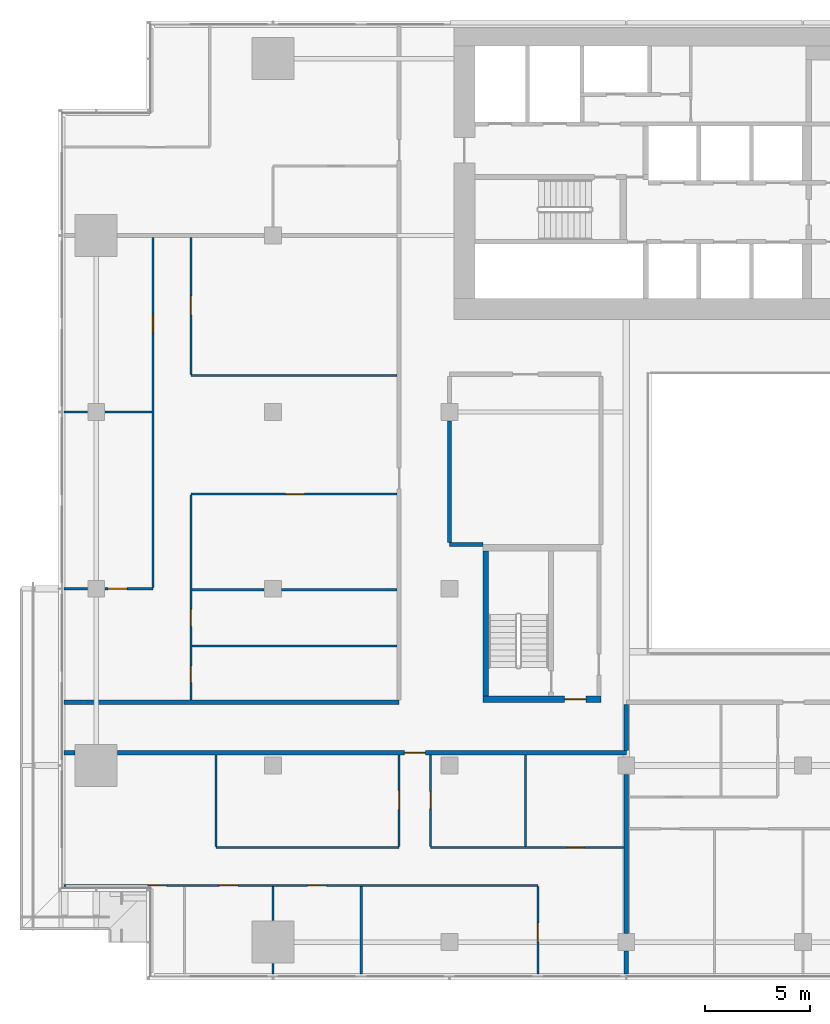
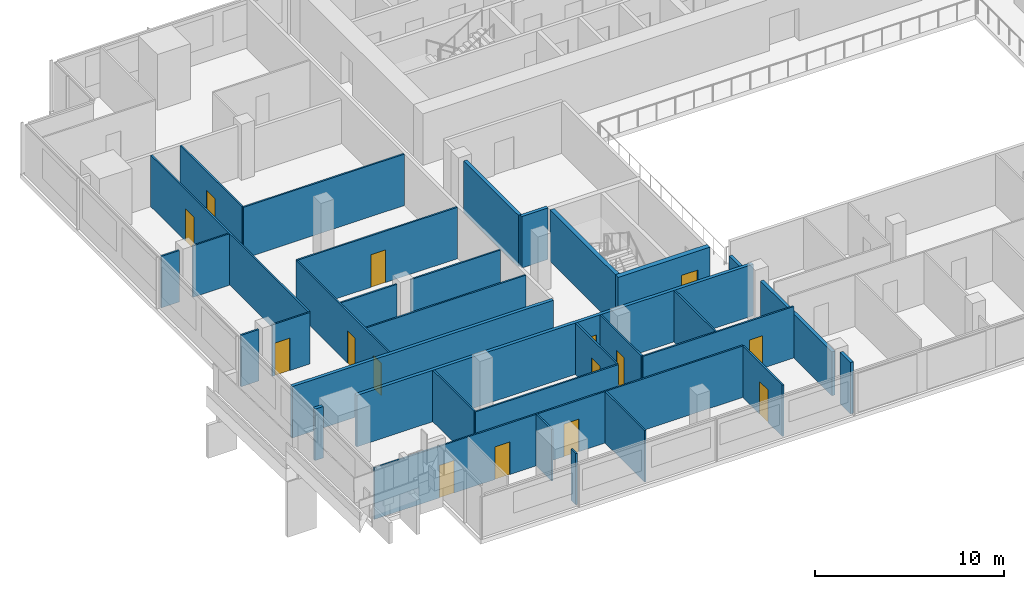
# One storey, part 16 of 27: 33 walls, 15 doors, 15 openings.
"""IFC4 building model written with IfcOpenShell, lengths in metres."""

from ifc_helpers import new_model, si_unit, direction, frame, frame_2d, origin, place, context, subcontext, project, spatial, rectangle, extrude, material, layer, layer_set, type_object, element, fill, save


model = new_model("IFC4")

# Units and contexts
model_context = context("Model", 3, precision=1e-05, world=origin(), true_north=direction((0.0, 1.0)))
body_context = subcontext(model_context, "Body", "Model", "MODEL_VIEW")
ifc_project = project(units=[si_unit("LENGTHUNIT", "METRE"), si_unit("AREAUNIT", "SQUARE_METRE"), si_unit("VOLUMEUNIT", "CUBIC_METRE"), si_unit("PLANEANGLEUNIT", "RADIAN"), si_unit("MASSUNIT", "GRAM", prefix="KILO")], contexts=[model_context])

# Site, building, storey
site_placement = place(None, origin())
site = spatial("IfcSite", under=ifc_project, at=site_placement, CompositionType="ELEMENT")
building_placement = place(site_placement, origin())
building = spatial("IfcBuilding", under=site, at=building_placement, Name="Saffron Gate Tower", CompositionType="ELEMENT")
storey_placement = place(building_placement, frame((0.0, 0.0, 134.85009765625)))
storey = spatial("IfcBuildingStorey", under=building, at=storey_placement, Name="L32", CompositionType="ELEMENT", Elevation=134.85009765625)

# Wall
ifc_material_1 = material(Name="Concrete C70", Category="concrete")
ifc_layer_1 = layer(ifc_material_1, 0.25)
ifc_layer_set_1 = layer_set([ifc_layer_1], Name="CW2 RC core wall 250 C70")
wall_type_1 = type_object("IfcWallType", Name="CW2 RC core wall 250 C70", PredefinedType="SOLIDWALL", material=ifc_layer_set_1)
wall_1_placement = place(storey_placement, frame((68.324951171875, 43.5, 0.0), z_axis=(0.0, 0.0, 1.0), x_axis=(0.0, 1.0, 0.0)))
element("IfcWall", 1, at=wall_1_placement, inside=storey, type_object=wall_type_1, Name="Wall CW2-L32-D-2", PredefinedType="SOLIDWALL", context=body_context, shape_type="SweptSolid", body=[
    extrude(rectangle(XDim=6.89990234375, YDim=0.25, at=frame_2d((3.449951171875, 0.0))), origin(), (0.0, 0.0, 1.0), 3.31982421875),
])

# Wall, opening, door
ifc_layer_2 = layer(ifc_material_1, 0.300048828125)
ifc_layer_set_2 = layer_set([ifc_layer_2], Name="CW5 RC core wall 300 C70")
wall_type_2 = type_object("IfcWallType", Name="CW5 RC core wall 300 C70", PredefinedType="SOLIDWALL", material=ifc_layer_set_2)
wall_2_placement = place(storey_placement, frame((68.199951171875, 43.35009765625, 0.0), z_axis=(0.0, 0.0, 1.0), x_axis=(1.0, 0.0, 0.0)))
wall_2 = element("IfcWall", 2, at=wall_2_placement, inside=storey, type_object=wall_type_2, Name="Wall CW5-L32-D-1", PredefinedType="SOLIDWALL", context=body_context, shape_type="SweptSolid", body=[
    extrude(rectangle(XDim=5.60009765625, YDim=0.300048828125, at=frame_2d((2.800048828125, 0.0))), origin(), (0.0, 0.0, 1.0), 3.31982421875),
])
opening_1_placement = place(wall_2_placement, frame((3.875, 0.0, 0.0)))
opening_1 = element("IfcOpeningElement", 3, at=opening_1_placement, cuts=wall_2, Name="Opening CR-18", PredefinedType="OPENING", context=body_context, shape_type="SweptSolid", body=[
    extrude(rectangle(XDim=1.0, YDim=2.10009765625, at=frame_2d((0.5, 1.050048828125))), frame((0.0, 0.16015625, 0.0), z_axis=(0.0, -1.0, 0.0), x_axis=(1.0, 0.0, 0.0)), (0.0, 0.0, 1.0), 0.320068359375),
])
ifc_material_2 = material(Name="Steel fire door set", Category="steel")
door_type_1 = type_object("IfcDoorType", Name="CD4 Lobby door 1000x2100 EI 120", OperationType="NOTDEFINED", PredefinedType="DOOR", material=ifc_material_2)
door_1_placement = place(opening_1_placement, origin())
door_1 = element("IfcDoor", 4, at=door_1_placement, inside=storey, type_object=door_type_1, Name="DOOR CR-18", OperationType="SINGLE_SWING_RIGHT", OverallHeight=2.10009765625, OverallWidth=1.0, PredefinedType="DOOR", context=body_context, shape_type="SweptSolid", body=[
    extrude(rectangle(XDim=1.0, YDim=2.10009765625, at=frame_2d((0.5, 1.050048828125))), frame((0.0, 0.02490234375, 0.0), z_axis=(0.0, -1.0, 0.0), x_axis=(1.0, 0.0, 0.0)), (0.0, 0.0, 1.0), 0.050048828125),
])
fill(opening_1, door_1)

# Wall, openings, doors
ifc_material_3 = material(Name="Plasterboard on steel studs", Category="steel")
ifc_layer_3 = layer(ifc_material_3, 0.10009765625)
ifc_layer_set_3 = layer_set([ifc_layer_3], Name="PW1 Partition 100")
wall_type_3 = type_object("IfcWallType", Name="PW1 Partition 100", PredefinedType="PARTITIONING", material=ifc_layer_set_3)
wall_3_placement = place(storey_placement, frame((70.800048828125, 34.5, 0.0), z_axis=(0.0, 0.0, 1.0), x_axis=(-1.0, 0.0, 0.0)))
wall_3 = element("IfcWall", 5, at=wall_3_placement, inside=storey, type_object=wall_type_3, Name="Partition B4-1", PredefinedType="PARTITIONING", context=body_context, shape_type="SweptSolid", body=[
    extrude(rectangle(XDim=22.52001953125, YDim=0.10009765625, at=frame_2d((11.260009765625, 0.0))), origin(), (0.0, 0.0, 1.0), 3.31982421875),
])
opening_2_placement = place(wall_3_placement, frame((10.050048828125, 0.0, 0.0)))
opening_2 = element("IfcOpeningElement", 6, at=opening_2_placement, cuts=wall_3, Name="Opening B4-10", PredefinedType="OPENING", context=body_context, shape_type="SweptSolid", body=[
    extrude(rectangle(XDim=0.89990234375, YDim=2.10009765625, at=frame_2d((0.449951171875, 1.050048828125))), frame((0.0, 0.06005859375, 0.0), z_axis=(0.0, -1.0, 0.0), x_axis=(1.0, 0.0, 0.0)), (0.0, 0.0, 1.0), 0.1201171875),
])
opening_3_placement = place(wall_3_placement, frame((14.25, 0.0, 0.0)))
opening_3 = element("IfcOpeningElement", 7, at=opening_3_placement, cuts=wall_3, Name="Opening B4-9", PredefinedType="OPENING", context=body_context, shape_type="SweptSolid", body=[
    extrude(rectangle(XDim=0.89990234375, YDim=2.10009765625, at=frame_2d((0.449951171875, 1.050048828125))), frame((0.0, 0.06005859375, 0.0), z_axis=(0.0, -1.0, 0.0), x_axis=(1.0, 0.0, 0.0)), (0.0, 0.0, 1.0), 0.1201171875),
])
opening_4_placement = place(wall_3_placement, frame((17.65380859375, 0.0, 0.0)))
opening_4 = element("IfcOpeningElement", 8, at=opening_4_placement, cuts=wall_3, Name="Opening B4-8", PredefinedType="OPENING", context=body_context, shape_type="SweptSolid", body=[
    extrude(rectangle(XDim=0.89990234375, YDim=2.10009765625, at=frame_2d((0.449951171875, 1.050048828125))), frame((0.0, 0.06005859375, 0.0), z_axis=(0.0, -1.0, 0.0), x_axis=(1.0, 0.0, 0.0)), (0.0, 0.0, 1.0), 0.1201171875),
])
ifc_material_4 = material(Name="Timber door set", Category="wood")
door_type_2 = type_object("IfcDoorType", Name="RD1 Room door 900x2100", OperationType="NOTDEFINED", PredefinedType="DOOR", material=ifc_material_4)
door_2_placement = place(opening_2_placement, origin())
door_2 = element("IfcDoor", 9, at=door_2_placement, inside=storey, type_object=door_type_2, Name="Door B4-10", OperationType="SINGLE_SWING_RIGHT", OverallHeight=2.10009765625, OverallWidth=0.89990234375, PredefinedType="DOOR", context=body_context, shape_type="SweptSolid", body=[
    extrude(rectangle(XDim=0.89990234375, YDim=2.10009765625, at=frame_2d((0.449951171875, 1.050048828125))), frame((0.0, 0.02490234375, 0.0), z_axis=(0.0, -1.0, 0.0), x_axis=(1.0, 0.0, 0.0)), (0.0, 0.0, 1.0), 0.050048828125),
])
fill(opening_2, door_2)
door_3_placement = place(opening_3_placement, origin())
door_3 = element("IfcDoor", 10, at=door_3_placement, inside=storey, type_object=door_type_2, Name="Door B4-9", OperationType="SINGLE_SWING_RIGHT", OverallHeight=2.10009765625, OverallWidth=0.89990234375, PredefinedType="DOOR", context=body_context, shape_type="SweptSolid", body=[
    extrude(rectangle(XDim=0.89990234375, YDim=2.10009765625, at=frame_2d((0.449951171875, 1.050048828125))), frame((0.0, 0.02490234375, 0.0), z_axis=(0.0, -1.0, 0.0), x_axis=(1.0, 0.0, 0.0)), (0.0, 0.0, 1.0), 0.050048828125),
])
fill(opening_3, door_3)
door_4_placement = place(opening_4_placement, origin())
door_4 = element("IfcDoor", 11, at=door_4_placement, inside=storey, type_object=door_type_2, Name="Door B4-8", OperationType="SINGLE_SWING_LEFT", OverallHeight=2.10009765625, OverallWidth=0.89990234375, PredefinedType="DOOR", context=body_context, shape_type="SweptSolid", body=[
    extrude(rectangle(XDim=0.89990234375, YDim=2.10009765625, at=frame_2d((0.449951171875, 1.050048828125))), frame((0.0, 0.02490234375, 0.0), z_axis=(0.0, -1.0, 0.0), x_axis=(1.0, 0.0, 0.0)), (0.0, 0.0, 1.0), 0.050048828125),
])
fill(opening_4, door_4)

# Wall
wall_4_placement = place(storey_placement, frame((55.5, 36.300048828125, 0.0), z_axis=(0.0, 0.0, 1.0), x_axis=(1.0, 0.0, 0.0)))
element("IfcWall", 12, at=wall_4_placement, inside=storey, type_object=wall_type_3, Name="Partition B4-4", PredefinedType="PARTITIONING", context=body_context, shape_type="SweptSolid", body=[
    extrude(rectangle(XDim=8.699951171875, YDim=0.10009765625, at=frame_2d((4.35009765625, 0.0))), origin(), (0.0, 0.0, 1.0), 3.31982421875),
])

# Wall, opening, door
wall_5_placement = place(storey_placement, frame((65.699951171875, 36.300048828125, 0.0), z_axis=(0.0, 0.0, 1.0), x_axis=(1.0, 0.0, 0.0)))
wall_5 = element("IfcWall", 13, at=wall_5_placement, inside=storey, type_object=wall_type_3, Name="Partition B4-5", PredefinedType="PARTITIONING", context=body_context, shape_type="SweptSolid", body=[
    extrude(rectangle(XDim=9.199951171875, YDim=0.10009765625, at=frame_2d((4.60009765625, 0.0))), origin(), (0.0, 0.0, 1.0), 3.31982421875),
])
opening_5_placement = place(wall_5_placement, frame((6.5, 0.0, 0.0)))
opening_5 = element("IfcOpeningElement", 14, at=opening_5_placement, cuts=wall_5, Name="Opening B4-37", PredefinedType="OPENING", context=body_context, shape_type="SweptSolid", body=[
    extrude(rectangle(XDim=0.800048828125, YDim=2.10009765625, at=frame_2d((0.39990234375, 1.050048828125))), frame((0.0, 0.06005859375, 0.0), z_axis=(0.0, -1.0, 0.0), x_axis=(1.0, 0.0, 0.0)), (0.0, 0.0, 1.0), 0.1201171875),
])
door_type_3 = type_object("IfcDoorType", Name="RD2 Bathroom door 800x2100", OperationType="NOTDEFINED", PredefinedType="DOOR", material=ifc_material_4)
door_5_placement = place(opening_5_placement, origin())
door_5 = element("IfcDoor", 15, at=door_5_placement, inside=storey, type_object=door_type_3, Name="Door B4-37", OperationType="SINGLE_SWING_RIGHT", OverallHeight=2.10009765625, OverallWidth=0.800048828125, PredefinedType="DOOR", context=body_context, shape_type="SweptSolid", body=[
    extrude(rectangle(XDim=0.800048828125, YDim=2.10009765625, at=frame_2d((0.39990234375, 1.050048828125))), frame((0.0, 0.02490234375, 0.0), z_axis=(0.0, -1.0, 0.0), x_axis=(1.0, 0.0, 0.0)), (0.0, 0.0, 1.0), 0.050048828125),
])
fill(opening_5, door_5)

# Walls
wall_6_placement = place(storey_placement, frame((54.35009765625, 45.876708984375, 0.0), z_axis=(0.0, 0.0, 1.0), x_axis=(1.0, 0.0, 0.0)))
element("IfcWall", 16, at=wall_6_placement, inside=storey, type_object=wall_type_3, Name="Partition B4-18", PredefinedType="PARTITIONING", context=body_context, shape_type="SweptSolid", body=[
    extrude(rectangle(XDim=9.75, YDim=0.10009765625, at=frame_2d((4.875, 0.0))), origin(), (0.0, 0.0, 1.0), 3.31982421875),
])
wall_7_placement = place(storey_placement, frame((54.35009765625, 48.553466796875, 0.0), z_axis=(0.0, 0.0, 1.0), x_axis=(1.0, 0.0, 0.0)))
element("IfcWall", 17, at=wall_7_placement, inside=storey, type_object=wall_type_3, Name="Partition B4-20", PredefinedType="PARTITIONING", context=body_context, shape_type="SweptSolid", body=[
    extrude(rectangle(XDim=3.429931640625, YDim=0.10009765625, at=frame_2d((1.71484375, 0.0))), origin(), (0.0, 0.0, 1.0), 3.31982421875),
])
wall_8_placement = place(storey_placement, frame((58.6201171875, 48.553466796875, 0.0), z_axis=(0.0, 0.0, 1.0), x_axis=(1.0, 0.0, 0.0)))
element("IfcWall", 18, at=wall_8_placement, inside=storey, type_object=wall_type_3, Name="Partition B4-21", PredefinedType="PARTITIONING", context=body_context, shape_type="SweptSolid", body=[
    extrude(rectangle(XDim=5.47998046875, YDim=0.10009765625, at=frame_2d((2.739990234375, 0.0))), origin(), (0.0, 0.0, 1.0), 3.31982421875),
])
wall_9_placement = place(storey_placement, frame((48.280029296875, 48.60009765625, 0.0), z_axis=(0.0, 0.0, 1.0), x_axis=(1.0, 0.0, 0.0)))
element("IfcWall", 19, at=wall_9_placement, inside=storey, type_object=wall_type_3, Name="Partition B4-22", PredefinedType="PARTITIONING", context=body_context, shape_type="SweptSolid", body=[
    extrude(rectangle(XDim=1.099853515625, YDim=0.10009765625, at=frame_2d((0.5498046875, 0.0))), origin(), (0.0, 0.0, 1.0), 3.31982421875),
])

# Wall, opening, door
wall_10_placement = place(storey_placement, frame((50.219970703125, 48.60009765625, 0.0), z_axis=(0.0, 0.0, 1.0), x_axis=(1.0, 0.0, 0.0)))
wall_10 = element("IfcWall", 20, at=wall_10_placement, inside=storey, type_object=wall_type_3, Name="Partition B4-23", PredefinedType="PARTITIONING", context=body_context, shape_type="SweptSolid", body=[
    extrude(rectangle(XDim=2.280029296875, YDim=0.10009765625, at=frame_2d((1.14013671875, 0.0))), origin(), (0.0, 0.0, 1.0), 3.31982421875),
])
opening_6_placement = place(wall_10_placement, frame((0.14990234375, 0.0, 0.0)))
opening_6 = element("IfcOpeningElement", 21, at=opening_6_placement, cuts=wall_10, Name="Opening B4-23", PredefinedType="OPENING", context=body_context, shape_type="SweptSolid", body=[
    extrude(rectangle(XDim=0.89990234375, YDim=2.10009765625, at=frame_2d((0.449951171875, 1.050048828125))), frame((0.0, 0.06005859375, 0.0), z_axis=(0.0, -1.0, 0.0), x_axis=(1.0, 0.0, 0.0)), (0.0, 0.0, 1.0), 0.1201171875),
])
door_6_placement = place(opening_6_placement, origin())
door_6 = element("IfcDoor", 22, at=door_6_placement, inside=storey, type_object=door_type_2, Name="Door B4-23", OperationType="SINGLE_SWING_LEFT", OverallHeight=2.10009765625, OverallWidth=0.89990234375, PredefinedType="DOOR", context=body_context, shape_type="SweptSolid", body=[
    extrude(rectangle(XDim=0.89990234375, YDim=2.10009765625, at=frame_2d((0.449951171875, 1.050048828125))), frame((0.0, 0.02490234375, 0.0), z_axis=(0.0, -1.0, 0.0), x_axis=(1.0, 0.0, 0.0)), (0.0, 0.0, 1.0), 0.050048828125),
])
fill(opening_6, door_6)

wall_11_placement = place(storey_placement, frame((64.10009765625, 53.10009765625, 0.0), z_axis=(0.0, 0.0, 1.0), x_axis=(-1.0, 0.0, 0.0)))
wall_11 = element("IfcWall", 23, at=wall_11_placement, inside=storey, type_object=wall_type_3, Name="Partition B4-30", PredefinedType="PARTITIONING", context=body_context, shape_type="SweptSolid", body=[
    extrude(rectangle(XDim=9.800048828125, YDim=0.10009765625, at=frame_2d((4.89990234375, 0.0))), origin(), (0.0, 0.0, 1.0), 3.31982421875),
])
opening_7_placement = place(wall_11_placement, frame((4.39990234375, 0.0, 0.0)))
opening_7 = element("IfcOpeningElement", 24, at=opening_7_placement, cuts=wall_11, Name="Opening B4-26", PredefinedType="OPENING", context=body_context, shape_type="SweptSolid", body=[
    extrude(rectangle(XDim=0.89990234375, YDim=2.10009765625, at=frame_2d((0.449951171875, 1.050048828125))), frame((0.0, 0.06005859375, 0.0), z_axis=(0.0, -1.0, 0.0), x_axis=(1.0, 0.0, 0.0)), (0.0, 0.0, 1.0), 0.1201171875),
])
door_7_placement = place(opening_7_placement, origin())
door_7 = element("IfcDoor", 25, at=door_7_placement, inside=storey, type_object=door_type_2, Name="Door B4-26", OperationType="SINGLE_SWING_LEFT", OverallHeight=2.10009765625, OverallWidth=0.89990234375, PredefinedType="DOOR", context=body_context, shape_type="SweptSolid", body=[
    extrude(rectangle(XDim=0.89990234375, YDim=2.10009765625, at=frame_2d((0.449951171875, 1.050048828125))), frame((0.0, 0.02490234375, 0.0), z_axis=(0.0, -1.0, 0.0), x_axis=(1.0, 0.0, 0.0)), (0.0, 0.0, 1.0), 0.050048828125),
])
fill(opening_7, door_7)

# Walls
wall_12_placement = place(storey_placement, frame((48.280029296875, 57.0, 0.0), z_axis=(0.0, 0.0, 1.0), x_axis=(1.0, 0.0, 0.0)))
element("IfcWall", 26, at=wall_12_placement, inside=storey, type_object=wall_type_3, Name="Partition B4-36", PredefinedType="PARTITIONING", context=body_context, shape_type="SweptSolid", body=[
    extrude(rectangle(XDim=1.099853515625, YDim=0.10009765625, at=frame_2d((0.5498046875, 0.0))), origin(), (0.0, 0.0, 1.0), 3.31982421875),
])
wall_13_placement = place(storey_placement, frame((50.219970703125, 57.0, 0.0), z_axis=(0.0, 0.0, 1.0), x_axis=(1.0, 0.0, 0.0)))
element("IfcWall", 27, at=wall_13_placement, inside=storey, type_object=wall_type_3, Name="Partition B4-37", PredefinedType="PARTITIONING", context=body_context, shape_type="SweptSolid", body=[
    extrude(rectangle(XDim=2.22998046875, YDim=0.10009765625, at=frame_2d((1.114990234375, 0.0))), origin(), (0.0, 0.0, 1.0), 3.31982421875),
])
wall_14_placement = place(storey_placement, frame((54.300048828125, 58.741455078125, 0.0), z_axis=(0.0, 0.0, 1.0), x_axis=(1.0, 0.0, 0.0)))
element("IfcWall", 28, at=wall_14_placement, inside=storey, type_object=wall_type_3, Name="Partition B4-38", PredefinedType="PARTITIONING", context=body_context, shape_type="SweptSolid", body=[
    extrude(rectangle(XDim=9.800048828125, YDim=0.10009765625, at=frame_2d((4.89990234375, 0.0))), origin(), (0.0, 0.0, 1.0), 3.31982421875),
])

# Wall, opening, door
wall_15_placement = place(storey_placement, frame((52.5, 48.64990234375, 0.0), z_axis=(0.0, 0.0, 1.0), x_axis=(0.0, 1.0, 0.0)))
wall_15 = element("IfcWall", 29, at=wall_15_placement, inside=storey, type_object=wall_type_3, Name="Partition B4-53", PredefinedType="PARTITIONING", context=body_context, shape_type="SweptSolid", body=[
    extrude(rectangle(XDim=16.650146484375, YDim=0.10009765625, at=frame_2d((8.3251953125, 0.0))), origin(), (0.0, 0.0, 1.0), 3.31982421875),
])
opening_8_placement = place(wall_15_placement, frame((12.10009765625, 0.0, 0.0)))
opening_8 = element("IfcOpeningElement", 30, at=opening_8_placement, cuts=wall_15, Name="Opening B4-24", PredefinedType="OPENING", context=body_context, shape_type="SweptSolid", body=[
    extrude(rectangle(XDim=0.89990234375, YDim=2.10009765625, at=frame_2d((0.449951171875, 1.050048828125))), frame((0.0, 0.06005859375, 0.0), z_axis=(0.0, -1.0, 0.0), x_axis=(1.0, 0.0, 0.0)), (0.0, 0.0, 1.0), 0.1201171875),
])
door_8_placement = place(opening_8_placement, origin())
door_8 = element("IfcDoor", 31, at=door_8_placement, inside=storey, type_object=door_type_2, Name="Door B4-24", OperationType="SINGLE_SWING_RIGHT", OverallHeight=2.10009765625, OverallWidth=0.89990234375, PredefinedType="DOOR", context=body_context, shape_type="SweptSolid", body=[
    extrude(rectangle(XDim=0.89990234375, YDim=2.10009765625, at=frame_2d((0.449951171875, 1.050048828125))), frame((0.0, 0.02490234375, 0.0), z_axis=(0.0, -1.0, 0.0), x_axis=(1.0, 0.0, 0.0)), (0.0, 0.0, 1.0), 0.050048828125),
])
fill(opening_8, door_8)

# Wall, openings, doors
wall_16_placement = place(storey_placement, frame((54.300048828125, 53.050048828125, 0.0), z_axis=(0.0, 0.0, 1.0), x_axis=(0.0, -1.0, 0.0)))
wall_16 = element("IfcWall", 32, at=wall_16_placement, inside=storey, type_object=wall_type_3, Name="Partition B4-55", PredefinedType="PARTITIONING", context=body_context, shape_type="SweptSolid", body=[
    extrude(rectangle(XDim=9.75, YDim=0.10009765625, at=frame_2d((4.875, 0.0))), origin(), (0.0, 0.0, 1.0), 3.31982421875),
])
opening_9_placement = place(wall_16_placement, frame((5.434814453125, 0.0, 0.0)))
opening_9 = element("IfcOpeningElement", 33, at=opening_9_placement, cuts=wall_16, Name="Opening B4-43", PredefinedType="OPENING", context=body_context, shape_type="SweptSolid", body=[
    extrude(rectangle(XDim=0.800048828125, YDim=2.10009765625, at=frame_2d((0.39990234375, 1.050048828125))), frame((0.0, 0.06005859375, 0.0), z_axis=(0.0, -1.0, 0.0), x_axis=(1.0, 0.0, 0.0)), (0.0, 0.0, 1.0), 0.1201171875),
])
opening_10_placement = place(wall_16_placement, frame((8.111572265625, 0.0, 0.0)))
opening_10 = element("IfcOpeningElement", 34, at=opening_10_placement, cuts=wall_16, Name="Opening B4-42", PredefinedType="OPENING", context=body_context, shape_type="SweptSolid", body=[
    extrude(rectangle(XDim=0.800048828125, YDim=2.10009765625, at=frame_2d((0.39990234375, 1.050048828125))), frame((0.0, 0.06005859375, 0.0), z_axis=(0.0, -1.0, 0.0), x_axis=(1.0, 0.0, 0.0)), (0.0, 0.0, 1.0), 0.1201171875),
])
door_9_placement = place(opening_9_placement, origin())
door_9 = element("IfcDoor", 35, at=door_9_placement, inside=storey, type_object=door_type_3, Name="Door B4-43", OperationType="SINGLE_SWING_LEFT", OverallHeight=2.10009765625, OverallWidth=0.800048828125, PredefinedType="DOOR", context=body_context, shape_type="SweptSolid", body=[
    extrude(rectangle(XDim=0.800048828125, YDim=2.10009765625, at=frame_2d((0.39990234375, 1.050048828125))), frame((0.0, 0.02490234375, 0.0), z_axis=(0.0, -1.0, 0.0), x_axis=(1.0, 0.0, 0.0)), (0.0, 0.0, 1.0), 0.050048828125),
])
fill(opening_9, door_9)
door_10_placement = place(opening_10_placement, origin())
door_10 = element("IfcDoor", 36, at=door_10_placement, inside=storey, type_object=door_type_3, Name="Door B4-42", OperationType="SINGLE_SWING_RIGHT", OverallHeight=2.10009765625, OverallWidth=0.800048828125, PredefinedType="DOOR", context=body_context, shape_type="SweptSolid", body=[
    extrude(rectangle(XDim=0.800048828125, YDim=2.10009765625, at=frame_2d((0.39990234375, 1.050048828125))), frame((0.0, 0.02490234375, 0.0), z_axis=(0.0, -1.0, 0.0), x_axis=(1.0, 0.0, 0.0)), (0.0, 0.0, 1.0), 0.050048828125),
])
fill(opening_10, door_10)

# Wall, opening, door
wall_17_placement = place(storey_placement, frame((54.300048828125, 65.300048828125, 0.0), z_axis=(0.0, 0.0, 1.0), x_axis=(0.0, -1.0, 0.0)))
wall_17 = element("IfcWall", 37, at=wall_17_placement, inside=storey, type_object=wall_type_3, Name="Partition B4-56", PredefinedType="PARTITIONING", context=body_context, shape_type="SweptSolid", body=[
    extrude(rectangle(XDim=6.508544921875, YDim=0.10009765625, at=frame_2d((3.25439453125, 0.0))), origin(), (0.0, 0.0, 1.0), 3.31982421875),
])
opening_11_placement = place(wall_17_placement, frame((2.779296875, 0.0, 0.0)))
opening_11 = element("IfcOpeningElement", 38, at=opening_11_placement, cuts=wall_17, Name="Opening B4-25", PredefinedType="OPENING", context=body_context, shape_type="SweptSolid", body=[
    extrude(rectangle(XDim=0.89990234375, YDim=2.10009765625, at=frame_2d((0.449951171875, 1.050048828125))), frame((0.0, 0.06005859375, 0.0), z_axis=(0.0, -1.0, 0.0), x_axis=(1.0, 0.0, 0.0)), (0.0, 0.0, 1.0), 0.1201171875),
])
door_11_placement = place(opening_11_placement, origin())
door_11 = element("IfcDoor", 39, at=door_11_placement, inside=storey, type_object=door_type_2, Name="Door B4-25", OperationType="SINGLE_SWING_LEFT", OverallHeight=2.10009765625, OverallWidth=0.89990234375, PredefinedType="DOOR", context=body_context, shape_type="SweptSolid", body=[
    extrude(rectangle(XDim=0.89990234375, YDim=2.10009765625, at=frame_2d((0.449951171875, 1.050048828125))), frame((0.0, 0.02490234375, 0.0), z_axis=(0.0, -1.0, 0.0), x_axis=(1.0, 0.0, 0.0)), (0.0, 0.0, 1.0), 0.050048828125),
])
fill(opening_11, door_11)

# Walls
wall_18_placement = place(storey_placement, frame((55.5, 40.699951171875, 0.0), z_axis=(0.0, 0.0, 1.0), x_axis=(0.0, -1.0, 0.0)))
element("IfcWall", 40, at=wall_18_placement, inside=storey, type_object=wall_type_3, Name="Partition B4-58", PredefinedType="PARTITIONING", context=body_context, shape_type="SweptSolid", body=[
    extrude(rectangle(XDim=4.349853515625, YDim=0.10009765625, at=frame_2d((2.1748046875, 0.0))), origin(), (0.0, 0.0, 1.0), 3.31982421875),
])
wall_19_placement = place(storey_placement, frame((58.199951171875, 30.780029296875, 0.0), z_axis=(0.0, 0.0, 1.0), x_axis=(0.0, -1.0, 0.0)))
element("IfcWall", 41, at=wall_19_placement, inside=storey, type_object=wall_type_3, Name="Partition B4-59", PredefinedType="PARTITIONING", context=body_context, shape_type="SweptSolid", body=[
    extrude(rectangle(XDim=0.5, YDim=0.10009765625, at=frame_2d((0.25, 0.0))), origin(), (0.0, 0.0, 1.0), 3.31982421875),
])
wall_20_placement = place(storey_placement, frame((58.199951171875, 34.449951171875, 0.0), z_axis=(0.0, 0.0, 1.0), x_axis=(0.0, -1.0, 0.0)))
element("IfcWall", 42, at=wall_20_placement, inside=storey, type_object=wall_type_3, Name="Partition B4-60", PredefinedType="PARTITIONING", context=body_context, shape_type="SweptSolid", body=[
    extrude(rectangle(XDim=1.6298828125, YDim=0.10009765625, at=frame_2d((0.81494140625, 0.0))), origin(), (0.0, 0.0, 1.0), 3.31982421875),
])
wall_21_placement = place(storey_placement, frame((62.39990234375, 34.449951171875, 0.0), z_axis=(0.0, 0.0, 1.0), x_axis=(0.0, -1.0, 0.0)))
element("IfcWall", 43, at=wall_21_placement, inside=storey, type_object=wall_type_3, Name="Partition B4-62", PredefinedType="PARTITIONING", context=body_context, shape_type="SweptSolid", body=[
    extrude(rectangle(XDim=4.169921875, YDim=0.10009765625, at=frame_2d((2.0849609375, 0.0))), origin(), (0.0, 0.0, 1.0), 3.31982421875),
])

# Wall, opening, door
wall_22_placement = place(storey_placement, frame((64.199951171875, 36.35009765625, 0.0), z_axis=(0.0, 0.0, 1.0), x_axis=(0.0, 1.0, 0.0)))
wall_22 = element("IfcWall", 44, at=wall_22_placement, inside=storey, type_object=wall_type_3, Name="Partition B4-64", PredefinedType="PARTITIONING", context=body_context, shape_type="SweptSolid", body=[
    extrude(rectangle(XDim=4.349853515625, YDim=0.10009765625, at=frame_2d((2.1748046875, 0.0))), origin(), (0.0, 0.0, 1.0), 3.31982421875),
])
opening_12_placement = place(wall_22_placement, frame((1.75, 0.0, 0.0)))
opening_12 = element("IfcOpeningElement", 45, at=opening_12_placement, cuts=wall_22, Name="Opening B4-12", PredefinedType="OPENING", context=body_context, shape_type="SweptSolid", body=[
    extrude(rectangle(XDim=0.89990234375, YDim=2.10009765625, at=frame_2d((0.449951171875, 1.050048828125))), frame((0.0, 0.06005859375, 0.0), z_axis=(0.0, -1.0, 0.0), x_axis=(1.0, 0.0, 0.0)), (0.0, 0.0, 1.0), 0.1201171875),
])
door_12_placement = place(opening_12_placement, origin())
door_12 = element("IfcDoor", 46, at=door_12_placement, inside=storey, type_object=door_type_2, Name="Door B4-12", OperationType="SINGLE_SWING_RIGHT", OverallHeight=2.10009765625, OverallWidth=0.89990234375, PredefinedType="DOOR", context=body_context, shape_type="SweptSolid", body=[
    extrude(rectangle(XDim=0.89990234375, YDim=2.10009765625, at=frame_2d((0.449951171875, 1.050048828125))), frame((0.0, 0.02490234375, 0.0), z_axis=(0.0, -1.0, 0.0), x_axis=(1.0, 0.0, 0.0)), (0.0, 0.0, 1.0), 0.050048828125),
])
fill(opening_12, door_12)

wall_23_placement = place(storey_placement, frame((65.699951171875, 40.699951171875, 0.0), z_axis=(0.0, 0.0, 1.0), x_axis=(0.0, -1.0, 0.0)))
wall_23 = element("IfcWall", 47, at=wall_23_placement, inside=storey, type_object=wall_type_3, Name="Partition B4-65", PredefinedType="PARTITIONING", context=body_context, shape_type="SweptSolid", body=[
    extrude(rectangle(XDim=4.349853515625, YDim=0.10009765625, at=frame_2d((2.1748046875, 0.0))), origin(), (0.0, 0.0, 1.0), 3.31982421875),
])
opening_13_placement = place(wall_23_placement, frame((1.75, 0.0, 0.0)))
opening_13 = element("IfcOpeningElement", 48, at=opening_13_placement, cuts=wall_23, Name="Opening B4-36", PredefinedType="OPENING", context=body_context, shape_type="SweptSolid", body=[
    extrude(rectangle(XDim=0.800048828125, YDim=2.10009765625, at=frame_2d((0.39990234375, 1.050048828125))), frame((0.0, 0.06005859375, 0.0), z_axis=(0.0, -1.0, 0.0), x_axis=(1.0, 0.0, 0.0)), (0.0, 0.0, 1.0), 0.1201171875),
])
door_13_placement = place(opening_13_placement, origin())
door_13 = element("IfcDoor", 49, at=door_13_placement, inside=storey, type_object=door_type_3, Name="Door B4-36", OperationType="SINGLE_SWING_LEFT", OverallHeight=2.10009765625, OverallWidth=0.800048828125, PredefinedType="DOOR", context=body_context, shape_type="SweptSolid", body=[
    extrude(rectangle(XDim=0.800048828125, YDim=2.10009765625, at=frame_2d((0.39990234375, 1.050048828125))), frame((0.0, 0.02490234375, 0.0), z_axis=(0.0, -1.0, 0.0), x_axis=(1.0, 0.0, 0.0)), (0.0, 0.0, 1.0), 0.050048828125),
])
fill(opening_13, door_13)

# Wall
wall_24_placement = place(storey_placement, frame((70.199951171875, 40.699951171875, 0.0), z_axis=(0.0, 0.0, 1.0), x_axis=(0.0, -1.0, 0.0)))
element("IfcWall", 50, at=wall_24_placement, inside=storey, type_object=wall_type_3, Name="Partition B4-68", PredefinedType="PARTITIONING", context=body_context, shape_type="SweptSolid", body=[
    extrude(rectangle(XDim=4.349853515625, YDim=0.10009765625, at=frame_2d((2.1748046875, 0.0))), origin(), (0.0, 0.0, 1.0), 3.31982421875),
])

# Wall, opening, door
wall_25_placement = place(storey_placement, frame((70.800048828125, 30.280029296875, 0.0), z_axis=(0.0, 0.0, 1.0), x_axis=(0.0, 1.0, 0.0)))
wall_25 = element("IfcWall", 51, at=wall_25_placement, inside=storey, type_object=wall_type_3, Name="Partition B4-69", PredefinedType="PARTITIONING", context=body_context, shape_type="SweptSolid", body=[
    extrude(rectangle(XDim=4.169921875, YDim=0.10009765625, at=frame_2d((2.0849609375, 0.0))), origin(), (0.0, 0.0, 1.0), 3.31982421875),
])
opening_14_placement = place(wall_25_placement, frame((1.52001953125, 0.0, 0.0)))
opening_14 = element("IfcOpeningElement", 52, at=opening_14_placement, cuts=wall_25, Name="Opening B4-11", PredefinedType="OPENING", context=body_context, shape_type="SweptSolid", body=[
    extrude(rectangle(XDim=0.89990234375, YDim=2.10009765625, at=frame_2d((0.449951171875, 1.050048828125))), frame((0.0, 0.06005859375, 0.0), z_axis=(0.0, -1.0, 0.0), x_axis=(1.0, 0.0, 0.0)), (0.0, 0.0, 1.0), 0.1201171875),
])
door_14_placement = place(opening_14_placement, origin())
door_14 = element("IfcDoor", 53, at=door_14_placement, inside=storey, type_object=door_type_2, Name="Door B4-11", OperationType="SINGLE_SWING_LEFT", OverallHeight=2.10009765625, OverallWidth=0.89990234375, PredefinedType="DOOR", context=body_context, shape_type="SweptSolid", body=[
    extrude(rectangle(XDim=0.89990234375, YDim=2.10009765625, at=frame_2d((0.449951171875, 1.050048828125))), frame((0.0, 0.02490234375, 0.0), z_axis=(0.0, -1.0, 0.0), x_axis=(1.0, 0.0, 0.0)), (0.0, 0.0, 1.0), 0.050048828125),
])
fill(opening_14, door_14)

# Walls
ifc_material_5 = material(Name="Clay brick masonry, rendered", Category="masonry")
ifc_layer_4 = layer(ifc_material_5, 0.199951171875)
ifc_layer_set_4 = layer_set([ifc_layer_4], Name="PW2 Demising wall 200")
wall_type_4 = type_object("IfcWallType", Name="PW2 Demising wall 200", PredefinedType="PARTITIONING", material=ifc_layer_set_4)
wall_26_placement = place(storey_placement, frame((75.0, 31.3798828125, 0.0), z_axis=(0.0, 0.0, 1.0), x_axis=(0.0, -1.0, 0.0)))
element("IfcWall", 54, at=wall_26_placement, inside=storey, type_object=wall_type_4, Name="Wall B4-72", PredefinedType="PARTITIONING", context=body_context, shape_type="SweptSolid", body=[
    extrude(rectangle(XDim=1.099853515625, YDim=0.199951171875, at=frame_2d((0.5498046875, 0.0))), origin(), (0.0, 0.0, 1.0), 3.31982421875),
])
wall_27_placement = place(storey_placement, frame((75.0, 39.780029296875, 0.0), z_axis=(0.0, 0.0, 1.0), x_axis=(0.0, -1.0, 0.0)))
element("IfcWall", 55, at=wall_27_placement, inside=storey, type_object=wall_type_4, Name="Wall B4-73", PredefinedType="PARTITIONING", context=body_context, shape_type="SweptSolid", body=[
    extrude(rectangle(XDim=7.56005859375, YDim=0.199951171875, at=frame_2d((3.780029296875, 0.0))), origin(), (0.0, 0.0, 1.0), 2.829833984375),
])
ifc_layer_5 = layer(ifc_material_5, 0.199951171875)
ifc_layer_set_5 = layer_set([ifc_layer_5], Name="PW3 Corridor wall 200")
wall_type_5 = type_object("IfcWallType", Name="PW3 Corridor wall 200", PredefinedType="PARTITIONING", material=ifc_layer_set_5)
wall_28_placement = place(storey_placement, frame((48.280029296875, 40.800048828125, 0.0), z_axis=(0.0, 0.0, 1.0), x_axis=(1.0, 0.0, 0.0)))
element("IfcWall", 56, at=wall_28_placement, inside=storey, type_object=wall_type_5, Name="Wall B4-11", PredefinedType="PARTITIONING", context=body_context, shape_type="SweptSolid", body=[
    extrude(rectangle(XDim=0.5, YDim=0.199951171875, at=frame_2d((0.25, 0.0))), origin(), (0.0, 0.0, 1.0), 3.31982421875),
])

# Wall, opening, door
wall_29_placement = place(storey_placement, frame((75.0, 40.800048828125, 0.0), z_axis=(0.0, 0.0, 1.0), x_axis=(-1.0, 0.0, 0.0)))
wall_29 = element("IfcWall", 57, at=wall_29_placement, inside=storey, type_object=wall_type_5, Name="Wall B4-12", PredefinedType="PARTITIONING", context=body_context, shape_type="SweptSolid", body=[
    extrude(rectangle(XDim=24.179931640625, YDim=0.199951171875, at=frame_2d((12.08984375, 0.0))), origin(), (0.0, 0.0, 1.0), 3.31982421875),
])
opening_15_placement = place(wall_29_placement, frame((9.550048828125, 0.0, 0.0)))
opening_15 = element("IfcOpeningElement", 58, at=opening_15_placement, cuts=wall_29, Name="Opening B4-1", PredefinedType="OPENING", context=body_context, shape_type="SweptSolid", body=[
    extrude(rectangle(XDim=1.0, YDim=2.10009765625, at=frame_2d((0.5, 1.050048828125))), frame((0.0, 0.10986328125, 0.0), z_axis=(0.0, -1.0, 0.0), x_axis=(1.0, 0.0, 0.0)), (0.0, 0.0, 1.0), 0.219970703125),
])
ifc_material_6 = material(Name="Timber fire door set", Category="wood")
door_type_4 = type_object("IfcDoorType", Name="FD1 Flat entry door 1000x2100", OperationType="NOTDEFINED", PredefinedType="DOOR", material=ifc_material_6)
door_15_placement = place(opening_15_placement, origin())
door_15 = element("IfcDoor", 59, at=door_15_placement, inside=storey, type_object=door_type_4, Name="Door B4-1", OperationType="SINGLE_SWING_LEFT", OverallHeight=2.10009765625, OverallWidth=1.0, PredefinedType="DOOR", context=body_context, shape_type="SweptSolid", body=[
    extrude(rectangle(XDim=1.0, YDim=2.10009765625, at=frame_2d((0.5, 1.050048828125))), frame((0.0, 0.02490234375, 0.0), z_axis=(0.0, -1.0, 0.0), x_axis=(1.0, 0.0, 0.0)), (0.0, 0.0, 1.0), 0.050048828125),
])
fill(opening_15, door_15)

# Walls
wall_30_placement = place(storey_placement, frame((48.280029296875, 43.199951171875, 0.0), z_axis=(0.0, 0.0, 1.0), x_axis=(1.0, 0.0, 0.0)))
element("IfcWall", 60, at=wall_30_placement, inside=storey, type_object=wall_type_5, Name="Wall B4-15", PredefinedType="PARTITIONING", context=body_context, shape_type="SweptSolid", body=[
    extrude(rectangle(XDim=15.919921875, YDim=0.199951171875, at=frame_2d((7.9599609375, 0.0))), origin(), (0.0, 0.0, 1.0), 3.31982421875),
])
wall_31_placement = place(storey_placement, frame((66.60009765625, 50.699951171875, 0.0), z_axis=(0.0, 0.0, 1.0), x_axis=(1.0, 0.0, 0.0)))
element("IfcWall", 61, at=wall_31_placement, inside=storey, type_object=wall_type_5, Name="Wall B4-28", PredefinedType="PARTITIONING", context=body_context, shape_type="SweptSolid", body=[
    extrude(rectangle(XDim=1.599853515625, YDim=0.199951171875, at=frame_2d((0.7998046875, 0.0))), origin(), (0.0, 0.0, 1.0), 3.31982421875),
])
wall_32_placement = place(storey_placement, frame((66.60009765625, 56.580078125, 0.0), z_axis=(0.0, 0.0, 1.0), x_axis=(0.0, -1.0, 0.0)))
element("IfcWall", 62, at=wall_32_placement, inside=storey, type_object=wall_type_5, Name="Wall B4-66", PredefinedType="PARTITIONING", context=body_context, shape_type="SweptSolid", body=[
    extrude(rectangle(XDim=5.780029296875, YDim=0.199951171875, at=frame_2d((2.89013671875, 0.0))), origin(), (0.0, 0.0, 1.0), 3.31982421875),
])
wall_33_placement = place(storey_placement, frame((75.0, 43.10009765625, 0.0), z_axis=(0.0, 0.0, 1.0), x_axis=(0.0, -1.0, 0.0)))
element("IfcWall", 63, at=wall_33_placement, inside=storey, type_object=wall_type_5, Name="Wall B4-71", PredefinedType="PARTITIONING", context=body_context, shape_type="SweptSolid", body=[
    extrude(rectangle(XDim=2.2001953125, YDim=0.199951171875, at=frame_2d((1.10009765625, 0.0))), origin(), (0.0, 0.0, 1.0), 2.429931640625),
])

save(model, "model.ifc")
